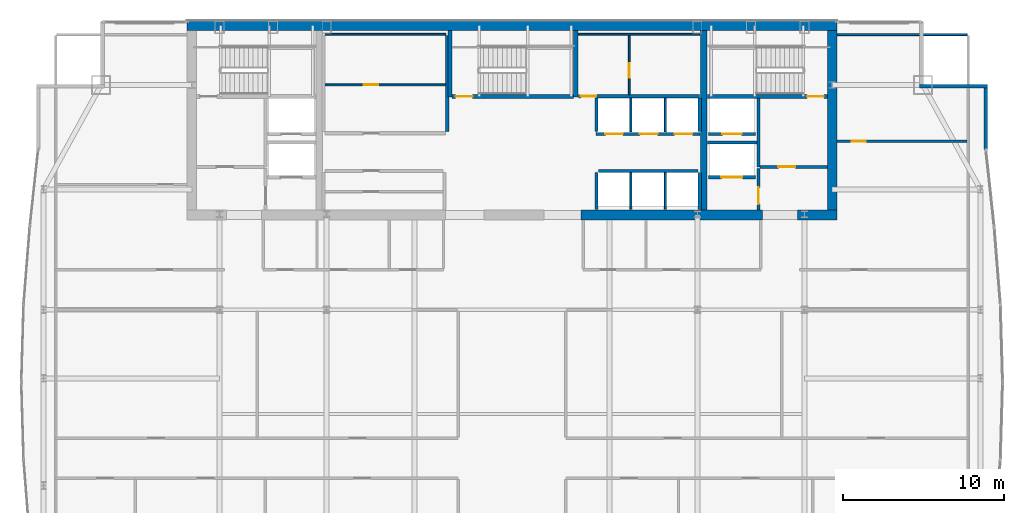
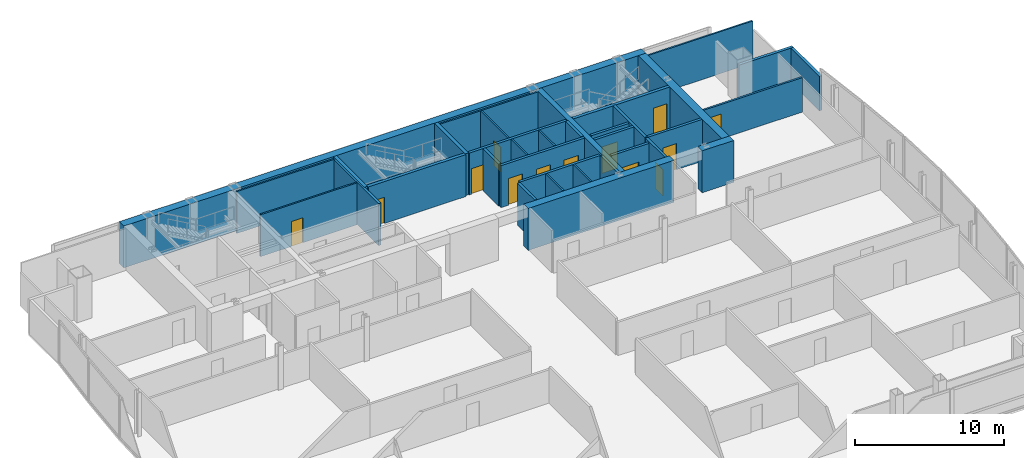
# One storey, part 29 of 32: 35 walls, 13 doors, 13 openings.
"""IFC4 building model written with IfcOpenShell, lengths in metres."""

from ifc_helpers import new_model, si_unit, direction, frame, frame_2d, origin, place, context, subcontext, project, spatial, rectangle, extrude, material, layer, layer_set, type_object, element, fill, save


model = new_model("IFC4")

# Units and contexts
model_context = context("Model", 3, precision=1e-05, world=origin(), true_north=direction((0.0, 1.0)))
body_context = subcontext(model_context, "Body", "Model", "MODEL_VIEW")
ifc_project = project(units=[si_unit("LENGTHUNIT", "METRE"), si_unit("AREAUNIT", "SQUARE_METRE"), si_unit("VOLUMEUNIT", "CUBIC_METRE"), si_unit("PLANEANGLEUNIT", "RADIAN"), si_unit("MASSUNIT", "GRAM", prefix="KILO")], contexts=[model_context])

# Site, building, storey
site_placement = place(None, origin())
site = spatial("IfcSite", under=ifc_project, at=site_placement, CompositionType="ELEMENT")
building_placement = place(site_placement, origin())
building = spatial("IfcBuilding", under=site, at=building_placement, Name="Khoronbel Lancet Exchange", CompositionType="ELEMENT")
storey_placement = place(building_placement, frame((0.0, 0.0, 192.199951171875)))
storey = spatial("IfcBuildingStorey", under=building, at=storey_placement, Name="L48", CompositionType="ELEMENT", Elevation=192.199951171875)

# Walls
ifc_material_1 = material(Name="Concrete C60/75", Category="concrete")
ifc_layer_1 = layer(ifc_material_1, 0.60009765625, Name="Concrete C60/75")
ifc_layer_set_1 = layer_set([ifc_layer_1], Name="Concrete C60/75")
wall_type_1 = type_object("IfcWallType", Name="WL-CW3", PredefinedType="SHEAR", material=ifc_layer_set_1)
wall_1_placement = place(storey_placement, frame((16.199951171875, 53.39990234375, 0.0), z_axis=(0.0, 0.0, 1.0), x_axis=(1.0, 0.0, 0.0)))
element("IfcWall", 1, at=wall_1_placement, inside=storey, type_object=wall_type_1, Name="Level L48 rear core north shear wall", PredefinedType="SHEAR", context=body_context, shape_type="SweptSolid", body=[
    extrude(rectangle(XDim=40.5, YDim=0.60009765625, at=frame_2d((20.25, 0.0))), origin(), (0.0, 0.0, 1.0), 3.43994140625),
])
wall_2_placement = place(storey_placement, frame((56.39990234375, 53.10009765625, 0.0), z_axis=(0.0, 0.0, 1.0), x_axis=(0.0, -1.0, 0.0)))
element("IfcWall", 2, at=wall_2_placement, inside=storey, type_object=wall_type_1, Name="Level L48 rear core east shear wall", PredefinedType="SHEAR", context=body_context, shape_type="SweptSolid", body=[
    extrude(rectangle(XDim=11.2001953125, YDim=0.60009765625, at=frame_2d((5.60009765625, 0.0))), origin(), (0.0, 0.0, 1.0), 3.43994140625),
])
wall_3_placement = place(storey_placement, frame((52.050048828125, 41.60009765625, 0.0), z_axis=(0.0, 0.0, 1.0), x_axis=(-1.0, 0.0, 0.0)))
element("IfcWall", 3, at=wall_3_placement, inside=storey, type_object=wall_type_1, Name="Level L48 rear core south shear wall pier P4", PredefinedType="SHEAR", context=body_context, shape_type="SweptSolid", body=[
    extrude(rectangle(XDim=11.300048828125, YDim=0.60009765625, at=frame_2d((5.64990234375, 0.0))), origin(), (0.0, 0.0, 1.0), 3.43994140625),
])
wall_4_placement = place(storey_placement, frame((56.699951171875, 41.60009765625, 0.0), z_axis=(0.0, 0.0, 1.0), x_axis=(-1.0, 0.0, 0.0)))
element("IfcWall", 4, at=wall_4_placement, inside=storey, type_object=wall_type_1, Name="Level L48 rear core south shear wall pier P5", PredefinedType="SHEAR", context=body_context, shape_type="SweptSolid", body=[
    extrude(rectangle(XDim=2.449951171875, YDim=0.60009765625, at=frame_2d((1.22509765625, 0.0))), origin(), (0.0, 0.0, 1.0), 3.43994140625),
])
ifc_material_2 = material(Name="Precast concrete C40/50", Category="concrete")
ifc_layer_2 = layer(ifc_material_2, 0.25, Name="Precast concrete C40/50")
ifc_layer_set_2 = layer_set([ifc_layer_2], Name="Precast concrete C40/50")
wall_type_2 = type_object("IfcWallType", Name="WL-EXT250", PredefinedType="SOLIDWALL", material=ifc_layer_set_2)
wall_5_placement = place(storey_placement, frame((61.85009765625, 49.610107421875, 0.0), z_axis=(0.0, 0.0, 1.0), x_axis=(1.0, 0.0, 0.0)))
element("IfcWall", 5, at=wall_5_placement, inside=storey, type_object=wall_type_2, Name="Level L48 notched-corner limestone pier 15", PredefinedType="SOLIDWALL", context=body_context, shape_type="SweptSolid", body=[
    extrude(rectangle(XDim=4.219970703125, YDim=0.219970703125, at=frame_2d((2.10986328125, 0.0))), origin(), (0.0, 0.0, 1.0), 2.830078125),
])
wall_6_placement = place(storey_placement, frame((65.9599609375, 49.5, 0.0), z_axis=(0.0, 0.0, 1.0), x_axis=(0.0, -1.0, 0.0)))
element("IfcWall", 6, at=wall_6_placement, inside=storey, type_object=wall_type_2, Name="Level L48 notched-corner limestone pier 16", PredefinedType="SOLIDWALL", context=body_context, shape_type="SweptSolid", body=[
    extrude(rectangle(XDim=3.824951171875, YDim=0.219970703125, at=frame_2d((1.91259765625, 0.0))), origin(), (0.0, 0.0, 1.0), 2.830078125),
])

# Wall, opening, door
ifc_material_3 = material(Name="Acoustic Metal-Stud & Mineral-Wool Gypsum Partition 120 mm", Category="gypsum")
ifc_layer_3 = layer(ifc_material_3, 0.1201171875, Name="Acoustic Metal-Stud & Mineral-Wool Gypsum Partition 120 mm")
ifc_layer_set_3 = layer_set([ifc_layer_3], Name="Acoustic Metal-Stud & Mineral-Wool Gypsum Partition 120 mm")
wall_type_3 = type_object("IfcWallType", Name="WL-PRT120", PredefinedType="PARTITIONING", material=ifc_layer_set_3)
wall_7_placement = place(storey_placement, frame((56.699951171875, 46.199951171875, 0.0), z_axis=(0.0, 0.0, 1.0), x_axis=(1.0, 0.0, 0.0)))
wall_7 = element("IfcWall", 7, at=wall_7_placement, inside=storey, type_object=wall_type_3, Name="Level L48 interior partition PW-NE-H", PredefinedType="PARTITIONING", context=body_context, shape_type="SweptSolid", body=[
    extrude(rectangle(XDim=8.10498046875, YDim=0.14990234375, at=frame_2d((4.052490234375, 0.0))), origin(), (0.0, 0.0, 1.0), 2.830078125),
])
opening_1_placement = place(wall_7_placement, frame((0.89990234375, 0.0, 0.0)))
opening_1 = element("IfcOpeningElement", 8, at=opening_1_placement, cuts=wall_7, Name="Opening D5", PredefinedType="OPENING", context=body_context, shape_type="SweptSolid", body=[
    extrude(rectangle(XDim=0.89990234375, YDim=2.050048828125, at=frame_2d((0.449951171875, 1.02490234375))), frame((0.0, 0.0849609375, 0.0), z_axis=(0.0, -1.0, 0.0), x_axis=(1.0, 0.0, 0.0)), (0.0, 0.0, 1.0), 0.169921875),
])
ifc_material_4 = material(Name="Acoustic Timber Pantry & Support Door", Category="wood")
door_type_1 = type_object("IfcDoorType", Name="DR-D5", OperationType="NOTDEFINED", PredefinedType="DOOR", material=ifc_material_4)
door_1_placement = place(opening_1_placement, origin())
door_1 = element("IfcDoor", 9, at=door_1_placement, inside=storey, type_object=door_type_1, Name="NE north room door L48-1", OperationType="SINGLE_SWING_LEFT", OverallHeight=2.050048828125, OverallWidth=0.89990234375, PredefinedType="DOOR", context=body_context, shape_type="SweptSolid", body=[
    extrude(rectangle(XDim=0.89990234375, YDim=2.050048828125, at=frame_2d((0.449951171875, 1.02490234375))), frame((0.0, 0.02490234375, 0.0), z_axis=(0.0, -1.0, 0.0), x_axis=(1.0, 0.0, 0.0)), (0.0, 0.0, 1.0), 0.050048828125),
])
fill(opening_1, door_1)

# Walls
wall_8_placement = place(storey_placement, frame((56.699951171875, 52.840087890625, 0.0), z_axis=(0.0, 0.0, 1.0), x_axis=(1.0, 0.0, 0.0)))
element("IfcWall", 10, at=wall_8_placement, inside=storey, type_object=wall_type_3, Name="Level L48 interior partition PW-LIN-NE", PredefinedType="PARTITIONING", context=body_context, shape_type="SweptSolid", body=[
    extrude(rectangle(XDim=8.10498046875, YDim=0.1201171875, at=frame_2d((4.052490234375, 0.0))), origin(), (0.0, 0.0, 1.0), 3.43994140625),
])
ifc_material_5 = material(Name="Fire-Rated Metal-Stud & Mineral-Wool Gypsum Partition 120 mm", Category="gypsum")
ifc_layer_4 = layer(ifc_material_5, 0.1201171875, Name="Fire-Rated Metal-Stud & Mineral-Wool Gypsum Partition 120 mm")
ifc_layer_set_4 = layer_set([ifc_layer_4], Name="Fire-Rated Metal-Stud & Mineral-Wool Gypsum Partition 120 mm")
wall_type_4 = type_object("IfcWallType", Name="WL-PRT120F", PredefinedType="PARTITIONING", material=ifc_layer_set_4)
wall_9_placement = place(storey_placement, frame((24.804931640625, 52.860107421875, 0.0), z_axis=(0.0, 0.0, 1.0), x_axis=(1.0, 0.0, 0.0)))
element("IfcWall", 11, at=wall_9_placement, inside=storey, type_object=wall_type_4, Name="Level L48 interior partition CW-PL-RN", PredefinedType="PARTITIONING", context=body_context, shape_type="SweptSolid", body=[
    extrude(rectangle(XDim=7.510009765625, YDim=0.1201171875, at=frame_2d((3.7548828125, 0.0))), origin(), (0.0, 0.0, 1.0), 3.43994140625),
])

# Wall, opening, door
wall_10_placement = place(storey_placement, frame((24.804931640625, 49.708740234375, 0.0), z_axis=(0.0, 0.0, 1.0), x_axis=(1.0, 0.0, 0.0)))
wall_10 = element("IfcWall", 12, at=wall_10_placement, inside=storey, type_object=wall_type_4, Name="Level L48 interior partition CW-PL-RH", PredefinedType="PARTITIONING", context=body_context, shape_type="SweptSolid", body=[
    extrude(rectangle(XDim=7.510009765625, YDim=0.1201171875, at=frame_2d((3.7548828125, 0.0))), origin(), (0.0, 0.0, 1.0), 3.43994140625),
])
opening_2_placement = place(wall_10_placement, frame((2.39990234375, 0.0, 0.0)))
opening_2 = element("IfcOpeningElement", 13, at=opening_2_placement, cuts=wall_10, Name="Opening FD4", PredefinedType="OPENING", context=body_context, shape_type="SweptSolid", body=[
    extrude(rectangle(XDim=0.89990234375, YDim=2.050048828125, at=frame_2d((0.449951171875, 1.02490234375))), frame((0.0, 0.070068359375, 0.0), z_axis=(0.0, -1.0, 0.0), x_axis=(1.0, 0.0, 0.0)), (0.0, 0.0, 1.0), 0.14013671875),
])
ifc_material_6 = material(Name="Fire-Rated Steel Core Support Door Assembly", Category="steel")
door_type_2 = type_object("IfcDoorType", Name="DR-FD4", OperationType="NOTDEFINED", PredefinedType="DOOR", material=ifc_material_6)
door_2_placement = place(opening_2_placement, origin())
door_2 = element("IfcDoor", 14, at=door_2_placement, inside=storey, type_object=door_type_2, Name="Core PL inner store door L48-1", OperationType="SINGLE_SWING_LEFT", OverallHeight=2.050048828125, OverallWidth=0.89990234375, PredefinedType="DOOR", context=body_context, shape_type="SweptSolid", body=[
    extrude(rectangle(XDim=0.89990234375, YDim=2.050048828125, at=frame_2d((0.449951171875, 1.02490234375))), frame((0.0, 0.02490234375, 0.0), z_axis=(0.0, -1.0, 0.0), x_axis=(1.0, 0.0, 0.0)), (0.0, 0.0, 1.0), 0.050048828125),
])
fill(opening_2, door_2)

# Walls
for number, where, z_axis, x_axis, name in (
    (15, (43.860107421875, 46.800048828125, 0.0), (0.0, 0.0, 1.0), (0.0, 1.0, 0.0), "Level L48 interior partition CW-PH-D1"),
    (16, (46.0, 46.800048828125, 0.0), (0.0, 0.0, 1.0), (0.0, 1.0, 0.0), "Level L48 interior partition CW-PH-D2"),
):
    element("IfcWall", number, at=place(storey_placement, frame(where, z_axis=z_axis, x_axis=x_axis)), inside=storey, type_object=wall_type_4, Name=name, PredefinedType="PARTITIONING", context=body_context, shape_type="SweptSolid", body=[
        extrude(rectangle(XDim=2.094970703125, YDim=0.1201171875, at=frame_2d((1.04736328125, 0.0))), origin(), (0.0, 0.0, 1.0), 3.43994140625),
    ])
for number, where, z_axis, x_axis, name in (
    (17, (43.860107421875, 41.949951171875, 0.0), (0.0, 0.0, 1.0), (0.0, 1.0, 0.0), "Level L48 interior partition CW-PX-D1"),
    (18, (46.0, 41.949951171875, 0.0), (0.0, 0.0, 1.0), (0.0, 1.0, 0.0), "Level L48 interior partition CW-PX-D2"),
):
    element("IfcWall", number, at=place(storey_placement, frame(where, z_axis=z_axis, x_axis=x_axis)), inside=storey, type_object=wall_type_4, Name=name, PredefinedType="PARTITIONING", context=body_context, shape_type="SweptSolid", body=[
        extrude(rectangle(XDim=2.295166015625, YDim=0.1201171875, at=frame_2d((1.1474609375, 0.0))), origin(), (0.0, 0.0, 1.0), 3.43994140625),
    ])
wall_11_placement = place(storey_placement, frame((40.580078125, 52.860107421875, 0.0), z_axis=(0.0, 0.0, 1.0), x_axis=(1.0, 0.0, 0.0)))
element("IfcWall", 19, at=wall_11_placement, inside=storey, type_object=wall_type_4, Name="Level L48 interior partition CW-SUP-NE-N", PredefinedType="PARTITIONING", context=body_context, shape_type="SweptSolid", body=[
    extrude(rectangle(XDim=7.559814453125, YDim=0.1201171875, at=frame_2d((3.77978515625, 0.0))), origin(), (0.0, 0.0, 1.0), 3.43994140625),
])

# Wall, opening, door
wall_12_placement = place(storey_placement, frame((43.755126953125, 49.10498046875, 0.0), z_axis=(0.0, 0.0, 1.0), x_axis=(0.0, 1.0, 0.0)))
wall_12 = element("IfcWall", 20, at=wall_12_placement, inside=storey, type_object=wall_type_4, Name="Level L48 interior partition CW-SUP-NE-M", PredefinedType="PARTITIONING", context=body_context, shape_type="SweptSolid", body=[
    extrude(rectangle(XDim=3.68994140625, YDim=0.1201171875, at=frame_2d((1.844970703125, 0.0))), origin(), (0.0, 0.0, 1.0), 3.43994140625),
])
opening_3_placement = place(wall_12_placement, frame((1.050048828125, 0.0, 0.0)))
opening_3 = element("IfcOpeningElement", 21, at=opening_3_placement, cuts=wall_12, Name="Opening FD4", PredefinedType="OPENING", context=body_context, shape_type="SweptSolid", body=[
    extrude(rectangle(XDim=0.89990234375, YDim=2.050048828125, at=frame_2d((0.449951171875, 1.02490234375))), frame((0.0, 0.070068359375, 0.0), z_axis=(0.0, -1.0, 0.0), x_axis=(1.0, 0.0, 0.0)), (0.0, 0.0, 1.0), 0.14013671875),
])
door_3_placement = place(opening_3_placement, origin())
door_3 = element("IfcDoor", 22, at=door_3_placement, inside=storey, type_object=door_type_2, Name="Core NE inner support door L48-1", OperationType="SINGLE_SWING_RIGHT", OverallHeight=2.050048828125, OverallWidth=0.89990234375, PredefinedType="DOOR", context=body_context, shape_type="SweptSolid", body=[
    extrude(rectangle(XDim=0.89990234375, YDim=2.050048828125, at=frame_2d((0.449951171875, 1.02490234375))), frame((0.0, 0.02490234375, 0.0), z_axis=(0.0, -1.0, 0.0), x_axis=(1.0, 0.0, 0.0)), (0.0, 0.0, 1.0), 0.050048828125),
])
fill(opening_3, door_3)

ifc_material_7 = material(Name="Autoclaved Aerated Concrete Blockwork 200 mm", Category="masonry")
ifc_layer_5 = layer(ifc_material_7, 0.199951171875, Name="Autoclaved Aerated Concrete Blockwork 200 mm")
ifc_layer_set_5 = layer_set([ifc_layer_5], Name="Autoclaved Aerated Concrete Blockwork 200 mm")
wall_type_5 = type_object("IfcWallType", Name="WL-PRT200", PredefinedType="PARTITIONING", material=ifc_layer_set_5)
wall_13_placement = place(storey_placement, frame((51.610107421875, 43.949951171875, 0.0), z_axis=(0.0, 0.0, 1.0), x_axis=(-1.0, 0.0, 0.0)))
wall_13 = element("IfcWall", 23, at=wall_13_placement, inside=storey, type_object=wall_type_5, Name="Level L48 elevator hoistway landing front wall SVLE", PredefinedType="PARTITIONING", context=body_context, shape_type="SweptSolid", body=[
    extrude(rectangle(XDim=2.920166015625, YDim=0.199951171875, at=frame_2d((1.4599609375, 0.0))), origin(), (0.0, 0.0, 1.0), 3.43994140625),
])
opening_4_placement = place(wall_13_placement, frame((0.81005859375, 0.0, 0.0)))
opening_4 = element("IfcOpeningElement", 24, at=opening_4_placement, cuts=wall_13, Name="Opening LD-SVL2", PredefinedType="OPENING", context=body_context, shape_type="SweptSolid", body=[
    extrude(rectangle(XDim=1.300048828125, YDim=2.179931640625, at=frame_2d((0.64990234375, 1.08984375))), frame((0.0, 0.10986328125, 0.0), z_axis=(0.0, -1.0, 0.0), x_axis=(1.0, 0.0, 0.0)), (0.0, 0.0, 1.0), 0.219970703125),
])
ifc_material_8 = material(Name="Heavy-Duty Bi-Parting Goods Lift Landing Door", Category="steel")
door_type_3 = type_object("IfcDoorType", Name="DR-LD-SVL", OperationType="NOTDEFINED", PredefinedType="DOOR", material=ifc_material_8)
door_4_placement = place(opening_4_placement, origin())
door_4 = element("IfcDoor", 25, at=door_4_placement, inside=storey, type_object=door_type_3, Name="Elevator landing sliding door LD-SVL2 L48", OperationType="SLIDING_TO_LEFT", OverallHeight=2.179931640625, OverallWidth=1.300048828125, PredefinedType="DOOR", context=body_context, shape_type="SweptSolid", body=[
    extrude(rectangle(XDim=1.300048828125, YDim=2.179931640625, at=frame_2d((0.64990234375, 1.08984375))), frame((0.0, 0.02490234375, 0.0), z_axis=(0.0, -1.0, 0.0), x_axis=(1.0, 0.0, 0.0)), (0.0, 0.0, 1.0), 0.050048828125),
])
fill(opening_4, door_4)

wall_14_placement = place(storey_placement, frame((51.610107421875, 46.64990234375, 0.0), z_axis=(0.0, 0.0, 1.0), x_axis=(-1.0, 0.0, 0.0)))
wall_14 = element("IfcWall", 26, at=wall_14_placement, inside=storey, type_object=wall_type_5, Name="Level L48 elevator hoistway landing front wall FFLE", PredefinedType="PARTITIONING", context=body_context, shape_type="SweptSolid", body=[
    extrude(rectangle(XDim=2.920166015625, YDim=0.199951171875, at=frame_2d((1.4599609375, 0.0))), origin(), (0.0, 0.0, 1.0), 3.43994140625),
])
opening_5_placement = place(wall_14_placement, frame((0.860107421875, 0.0, 0.0)))
opening_5 = element("IfcOpeningElement", 27, at=opening_5_placement, cuts=wall_14, Name="Opening LD-FFL2", PredefinedType="OPENING", context=body_context, shape_type="SweptSolid", body=[
    extrude(rectangle(XDim=1.199951171875, YDim=2.179931640625, at=frame_2d((0.60009765625, 1.08984375))), frame((0.0, 0.10986328125, 0.0), z_axis=(0.0, -1.0, 0.0), x_axis=(1.0, 0.0, 0.0)), (0.0, 0.0, 1.0), 0.219970703125),
])
ifc_material_9 = material(Name="Fire-Rated Stainless Bi-Parting Firefighting Lift Door", Category="steel")
door_type_4 = type_object("IfcDoorType", Name="DR-LD-FFL", OperationType="NOTDEFINED", PredefinedType="DOOR", material=ifc_material_9)
door_5_placement = place(opening_5_placement, origin())
door_5 = element("IfcDoor", 28, at=door_5_placement, inside=storey, type_object=door_type_4, Name="Elevator landing sliding door LD-FFL2 L48", OperationType="SLIDING_TO_LEFT", OverallHeight=2.179931640625, OverallWidth=1.199951171875, PredefinedType="DOOR", context=body_context, shape_type="SweptSolid", body=[
    extrude(rectangle(XDim=1.199951171875, YDim=2.179931640625, at=frame_2d((0.60009765625, 1.08984375))), frame((0.0, 0.02490234375, 0.0), z_axis=(0.0, -1.0, 0.0), x_axis=(1.0, 0.0, 0.0)), (0.0, 0.0, 1.0), 0.050048828125),
])
fill(opening_5, door_5)

# Wall, openings, doors
wall_15_placement = place(storey_placement, frame((48.159912109375, 46.64990234375, 0.0), z_axis=(0.0, 0.0, 1.0), x_axis=(-1.0, 0.0, 0.0)))
wall_15 = element("IfcWall", 29, at=wall_15_placement, inside=storey, type_object=wall_type_5, Name="Level L48 elevator hoistway landing front wall PHE", PredefinedType="PARTITIONING", context=body_context, shape_type="SweptSolid", body=[
    extrude(rectangle(XDim=6.47998046875, YDim=0.199951171875, at=frame_2d((3.239990234375, 0.0))), origin(), (0.0, 0.0, 1.0), 3.43994140625),
])
opening_6_placement = place(wall_15_placement, frame((4.800048828125, 0.0, 0.0)))
opening_6 = element("IfcOpeningElement", 30, at=opening_6_placement, cuts=wall_15, Name="Opening LD-PH1", PredefinedType="OPENING", context=body_context, shape_type="SweptSolid", body=[
    extrude(rectangle(XDim=1.10009765625, YDim=2.179931640625, at=frame_2d((0.550048828125, 1.08984375))), frame((0.0, 0.10986328125, 0.0), z_axis=(0.0, -1.0, 0.0), x_axis=(1.0, 0.0, 0.0)), (0.0, 0.0, 1.0), 0.219970703125),
])
opening_7_placement = place(wall_15_placement, frame((2.639892578125, 0.0, 0.0)))
opening_7 = element("IfcOpeningElement", 31, at=opening_7_placement, cuts=wall_15, Name="Opening LD-PH2", PredefinedType="OPENING", context=body_context, shape_type="SweptSolid", body=[
    extrude(rectangle(XDim=1.10009765625, YDim=2.179931640625, at=frame_2d((0.550048828125, 1.08984375))), frame((0.0, 0.10986328125, 0.0), z_axis=(0.0, -1.0, 0.0), x_axis=(1.0, 0.0, 0.0)), (0.0, 0.0, 1.0), 0.219970703125),
])
opening_8_placement = place(wall_15_placement, frame((0.47998046875, 0.0, 0.0)))
opening_8 = element("IfcOpeningElement", 32, at=opening_8_placement, cuts=wall_15, Name="Opening LD-PH3", PredefinedType="OPENING", context=body_context, shape_type="SweptSolid", body=[
    extrude(rectangle(XDim=1.10009765625, YDim=2.179931640625, at=frame_2d((0.550048828125, 1.08984375))), frame((0.0, 0.10986328125, 0.0), z_axis=(0.0, -1.0, 0.0), x_axis=(1.0, 0.0, 0.0)), (0.0, 0.0, 1.0), 0.219970703125),
])
ifc_material_10 = material(Name="Brushed Bronze Bi-Parting Elevator Landing Door", Category="steel")
door_type_5 = type_object("IfcDoorType", Name="DR-LD-PAX", OperationType="NOTDEFINED", PredefinedType="DOOR", material=ifc_material_10)
door_6_placement = place(opening_6_placement, origin())
door_6 = element("IfcDoor", 33, at=door_6_placement, inside=storey, type_object=door_type_5, Name="Elevator landing sliding door LD-PH1 L48", OperationType="SLIDING_TO_LEFT", OverallHeight=2.179931640625, OverallWidth=1.10009765625, PredefinedType="DOOR", context=body_context, shape_type="SweptSolid", body=[
    extrude(rectangle(XDim=1.10009765625, YDim=2.179931640625, at=frame_2d((0.550048828125, 1.08984375))), frame((0.0, 0.02490234375, 0.0), z_axis=(0.0, -1.0, 0.0), x_axis=(1.0, 0.0, 0.0)), (0.0, 0.0, 1.0), 0.050048828125),
])
fill(opening_6, door_6)
door_7_placement = place(opening_7_placement, origin())
door_7 = element("IfcDoor", 34, at=door_7_placement, inside=storey, type_object=door_type_5, Name="Elevator landing sliding door LD-PH2 L48", OperationType="SLIDING_TO_LEFT", OverallHeight=2.179931640625, OverallWidth=1.10009765625, PredefinedType="DOOR", context=body_context, shape_type="SweptSolid", body=[
    extrude(rectangle(XDim=1.10009765625, YDim=2.179931640625, at=frame_2d((0.550048828125, 1.08984375))), frame((0.0, 0.02490234375, 0.0), z_axis=(0.0, -1.0, 0.0), x_axis=(1.0, 0.0, 0.0)), (0.0, 0.0, 1.0), 0.050048828125),
])
fill(opening_7, door_7)
door_8_placement = place(opening_8_placement, origin())
door_8 = element("IfcDoor", 35, at=door_8_placement, inside=storey, type_object=door_type_5, Name="Elevator landing sliding door LD-PH3 L48", OperationType="SLIDING_TO_LEFT", OverallHeight=2.179931640625, OverallWidth=1.10009765625, PredefinedType="DOOR", context=body_context, shape_type="SweptSolid", body=[
    extrude(rectangle(XDim=1.10009765625, YDim=2.179931640625, at=frame_2d((0.550048828125, 1.08984375))), frame((0.0, 0.02490234375, 0.0), z_axis=(0.0, -1.0, 0.0), x_axis=(1.0, 0.0, 0.0)), (0.0, 0.0, 1.0), 0.050048828125),
])
fill(opening_8, door_8)

# Wall
wall_16_placement = place(storey_placement, frame((51.800048828125, 44.60009765625, 0.0), z_axis=(0.0, 0.0, 1.0), x_axis=(0.0, 1.0, 0.0)))
element("IfcWall", 36, at=wall_16_placement, inside=storey, type_object=wall_type_5, Name="Level L48 interior partition CW-FFLE-W", PredefinedType="PARTITIONING", context=body_context, shape_type="SweptSolid", body=[
    extrude(rectangle(XDim=4.2998046875, YDim=0.199951171875, at=frame_2d((2.14990234375, 0.0))), origin(), (0.0, 0.0, 1.0), 3.43994140625),
])

# Wall, opening, door
wall_17_placement = place(storey_placement, frame((51.89990234375, 44.60009765625, 0.0), z_axis=(0.0, 0.0, 1.0), x_axis=(1.0, 0.0, 0.0)))
wall_17 = element("IfcWall", 37, at=wall_17_placement, inside=storey, type_object=wall_type_5, Name="Level L48 interior partition CW-FFLE-S", PredefinedType="PARTITIONING", context=body_context, shape_type="SweptSolid", body=[
    extrude(rectangle(XDim=4.2001953125, YDim=0.199951171875, at=frame_2d((2.10009765625, 0.0))), origin(), (0.0, 0.0, 1.0), 3.43994140625),
])
opening_9_placement = place(wall_17_placement, frame((1.14990234375, 0.0, 0.0)))
opening_9 = element("IfcOpeningElement", 38, at=opening_9_placement, cuts=wall_17, Name="Opening FD1", PredefinedType="OPENING", context=body_context, shape_type="SweptSolid", body=[
    extrude(rectangle(XDim=1.050048828125, YDim=2.14990234375, at=frame_2d((0.52490234375, 1.074951171875))), frame((0.0, 0.10986328125, 0.0), z_axis=(0.0, -1.0, 0.0), x_axis=(1.0, 0.0, 0.0)), (0.0, 0.0, 1.0), 0.219970703125),
])
ifc_material_11 = material(Name="Fire-Rated Painted Steel Door Assembly", Category="steel")
door_type_6 = type_object("IfcDoorType", Name="DR-FD1", OperationType="NOTDEFINED", PredefinedType="DOOR", material=ifc_material_11)
door_9_placement = place(opening_9_placement, origin())
door_9 = element("IfcDoor", 39, at=door_9_placement, inside=storey, type_object=door_type_6, Name="East firefighting lobby FD90S door L48-1", OperationType="SINGLE_SWING_LEFT", OverallHeight=2.14990234375, OverallWidth=1.050048828125, PredefinedType="DOOR", context=body_context, shape_type="SweptSolid", body=[
    extrude(rectangle(XDim=1.050048828125, YDim=2.14990234375, at=frame_2d((0.52490234375, 1.074951171875))), frame((0.0, 0.02490234375, 0.0), z_axis=(0.0, -1.0, 0.0), x_axis=(1.0, 0.0, 0.0)), (0.0, 0.0, 1.0), 0.050048828125),
])
fill(opening_9, door_9)

# Wall
wall_18_placement = place(storey_placement, frame((48.6298828125, 46.1201171875, 0.0), z_axis=(0.0, 0.0, 1.0), x_axis=(1.0, 0.0, 0.0)))
element("IfcWall", 40, at=wall_18_placement, inside=storey, type_object=wall_type_5, Name="Level L48 interior partition CW-FFL2-S", PredefinedType="PARTITIONING", context=body_context, shape_type="SweptSolid", body=[
    extrude(rectangle(XDim=3.070068359375, YDim=0.199951171875, at=frame_2d((1.53515625, 0.0))), origin(), (0.0, 0.0, 1.0), 3.43994140625),
])

# Wall, opening, door
wall_19_placement = place(storey_placement, frame((51.800048828125, 41.89990234375, 0.0), z_axis=(0.0, 0.0, 1.0), x_axis=(0.0, 1.0, 0.0)))
wall_19 = element("IfcWall", 41, at=wall_19_placement, inside=storey, type_object=wall_type_5, Name="Level L48 interior partition CW-SVLE-E", PredefinedType="PARTITIONING", context=body_context, shape_type="SweptSolid", body=[
    extrude(rectangle(XDim=2.59521484375, YDim=0.199951171875, at=frame_2d((1.297607421875, 0.0))), origin(), (0.0, 0.0, 1.0), 3.43994140625),
])
opening_10_placement = place(wall_19_placement, frame((0.3798828125, 0.0, 0.0)))
opening_10 = element("IfcOpeningElement", 42, at=opening_10_placement, cuts=wall_19, Name="Opening FD1", PredefinedType="OPENING", context=body_context, shape_type="SweptSolid", body=[
    extrude(rectangle(XDim=1.050048828125, YDim=2.14990234375, at=frame_2d((0.52490234375, 1.074951171875))), frame((0.0, 0.10986328125, 0.0), z_axis=(0.0, -1.0, 0.0), x_axis=(1.0, 0.0, 0.0)), (0.0, 0.0, 1.0), 0.219970703125),
])
door_10_placement = place(opening_10_placement, origin())
door_10 = element("IfcDoor", 43, at=door_10_placement, inside=storey, type_object=door_type_6, Name="East service lift lobby door L48-1", OperationType="SINGLE_SWING_RIGHT", OverallHeight=2.14990234375, OverallWidth=1.050048828125, PredefinedType="DOOR", context=body_context, shape_type="SweptSolid", body=[
    extrude(rectangle(XDim=1.050048828125, YDim=2.14990234375, at=frame_2d((0.52490234375, 1.074951171875))), frame((0.0, 0.02490234375, 0.0), z_axis=(0.0, -1.0, 0.0), x_axis=(1.0, 0.0, 0.0)), (0.0, 0.0, 1.0), 0.050048828125),
])
fill(opening_10, door_10)

# Walls
wall_20_placement = place(storey_placement, frame((32.419921875, 46.804931640625, 0.0), z_axis=(0.0, 0.0, 1.0), x_axis=(0.0, 1.0, 0.0)))
element("IfcWall", 44, at=wall_20_placement, inside=storey, type_object=wall_type_5, Name="Level L48 interior partition CW-PL-RE", PredefinedType="PARTITIONING", context=body_context, shape_type="SweptSolid", body=[
    extrude(rectangle(XDim=5.989990234375, YDim=0.199951171875, at=frame_2d((2.9951171875, 0.0))), origin(), (0.0, 0.0, 1.0), 3.43994140625),
])
for number, where, z_axis, x_axis, name in (
    (45, (41.719970703125, 46.800048828125, 0.0), (0.0, 0.0, 1.0), (0.0, 1.0, 0.0), "Level L48 interior partition CW-PH-W"),
    (46, (48.139892578125, 46.800048828125, 0.0), (0.0, 0.0, 1.0), (0.0, 1.0, 0.0), "Level L48 interior partition CW-PH-E"),
):
    element("IfcWall", number, at=place(storey_placement, frame(where, z_axis=z_axis, x_axis=x_axis)), inside=storey, type_object=wall_type_5, Name=name, PredefinedType="PARTITIONING", context=body_context, shape_type="SweptSolid", body=[
        extrude(rectangle(XDim=2.094970703125, YDim=0.199951171875, at=frame_2d((1.04736328125, 0.0))), origin(), (0.0, 0.0, 1.0), 3.43994140625),
    ])
wall_21_placement = place(storey_placement, frame((41.824951171875, 44.35009765625, 0.0), z_axis=(0.0, 0.0, 1.0), x_axis=(1.0, 0.0, 0.0)))
element("IfcWall", 47, at=wall_21_placement, inside=storey, type_object=wall_type_5, Name="Level L48 interior partition CW-PX-EXP", PredefinedType="PARTITIONING", context=body_context, shape_type="SweptSolid", body=[
    extrude(rectangle(XDim=6.2099609375, YDim=0.199951171875, at=frame_2d((3.10498046875, 0.0))), origin(), (0.0, 0.0, 1.0), 3.43994140625),
])
for number, where, z_axis, x_axis, name in (
    (48, (41.719970703125, 41.949951171875, 0.0), (0.0, 0.0, 1.0), (0.0, 1.0, 0.0), "Level L48 interior partition CW-PX-W"),
    (49, (48.139892578125, 41.949951171875, 0.0), (0.0, 0.0, 1.0), (0.0, 1.0, 0.0), "Level L48 interior partition CW-PX-E"),
):
    element("IfcWall", number, at=place(storey_placement, frame(where, z_axis=z_axis, x_axis=x_axis)), inside=storey, type_object=wall_type_5, Name=name, PredefinedType="PARTITIONING", context=body_context, shape_type="SweptSolid", body=[
        extrude(rectangle(XDim=2.295166015625, YDim=0.199951171875, at=frame_2d((1.1474609375, 0.0))), origin(), (0.0, 0.0, 1.0), 3.43994140625),
    ])

# Wall, opening, door
wall_22_placement = place(storey_placement, frame((40.580078125, 49.0, 0.0), z_axis=(0.0, 0.0, 1.0), x_axis=(1.0, 0.0, 0.0)))
wall_22 = element("IfcWall", 50, at=wall_22_placement, inside=storey, type_object=wall_type_5, Name="Level L48 interior partition CW-SUP-NE-S", PredefinedType="PARTITIONING", context=body_context, shape_type="SweptSolid", body=[
    extrude(rectangle(XDim=7.559814453125, YDim=0.199951171875, at=frame_2d((3.77978515625, 0.0))), origin(), (0.0, 0.0, 1.0), 3.43994140625),
])
opening_11_placement = place(wall_22_placement, frame((0.159912109375, 0.0, 0.0)))
opening_11 = element("IfcOpeningElement", 51, at=opening_11_placement, cuts=wall_22, Name="Opening FD3", PredefinedType="OPENING", context=body_context, shape_type="SweptSolid", body=[
    extrude(rectangle(XDim=0.949951171875, YDim=2.10009765625, at=frame_2d((0.47509765625, 1.050048828125))), frame((0.0, 0.10986328125, 0.0), z_axis=(0.0, -1.0, 0.0), x_axis=(1.0, 0.0, 0.0)), (0.0, 0.0, 1.0), 0.219970703125),
])
ifc_material_12 = material(Name="Fire-Rated Steel Plant & Riser Door Assembly", Category="steel")
door_type_7 = type_object("IfcDoorType", Name="DR-FD3", OperationType="NOTDEFINED", PredefinedType="DOOR", material=ifc_material_12)
door_11_placement = place(opening_11_placement, origin())
door_11 = element("IfcDoor", 52, at=door_11_placement, inside=storey, type_object=door_type_7, Name="Core NE support room door L48-1", OperationType="SINGLE_SWING_LEFT", OverallHeight=2.10009765625, OverallWidth=0.949951171875, PredefinedType="DOOR", context=body_context, shape_type="SweptSolid", body=[
    extrude(rectangle(XDim=0.949951171875, YDim=2.10009765625, at=frame_2d((0.47509765625, 1.050048828125))), frame((0.0, 0.02490234375, 0.0), z_axis=(0.0, -1.0, 0.0), x_axis=(1.0, 0.0, 0.0)), (0.0, 0.0, 1.0), 0.050048828125),
])
fill(opening_11, door_11)

# Walls
ifc_layer_6 = layer(ifc_material_1, 0.39990234375, Name="Concrete C60/75")
ifc_layer_set_6 = layer_set([ifc_layer_6], Name="Concrete C60/75")
wall_type_6 = type_object("IfcWallType", Name="WL-SW2", PredefinedType="SHEAR", material=ifc_layer_set_6)
wall_23_placement = place(storey_placement, frame((48.39990234375, 41.89990234375, 0.0), z_axis=(0.0, 0.0, 1.0), x_axis=(0.0, 1.0, 0.0)))
element("IfcWall", 53, at=wall_23_placement, inside=storey, type_object=wall_type_6, Name="Level L48 rear core internal spine shear wall IE", PredefinedType="SHEAR", context=body_context, shape_type="SweptSolid", body=[
    extrude(rectangle(XDim=11.2001953125, YDim=0.39990234375, at=frame_2d((5.60009765625, 0.0))), origin(), (0.0, 0.0, 1.0), 3.43994140625),
])
ifc_layer_7 = layer(ifc_material_1, 0.260009765625, Name="Concrete C60/75")
ifc_layer_set_7 = layer_set([ifc_layer_7], Name="Concrete C60/75")
wall_type_7 = type_object("IfcWallType", Name="WL-SW3", PredefinedType="SHEAR", material=ifc_layer_set_7)
for number, where, z_axis, x_axis, name in (
    (54, (32.580078125, 48.949951171875, 0.0), (0.0, 0.0, 1.0), (0.0, 1.0, 0.0), "Level L48 central stairwell structural shear wall ST3W"),
    (55, (40.419921875, 48.949951171875, 0.0), (0.0, 0.0, 1.0), (0.0, 1.0, 0.0), "Level L48 central stairwell structural shear wall ST3E"),
):
    element("IfcWall", number, at=place(storey_placement, frame(where, z_axis=z_axis, x_axis=x_axis)), inside=storey, type_object=wall_type_7, Name=name, PredefinedType="SHEAR", context=body_context, shape_type="SweptSolid", body=[
        extrude(rectangle(XDim=4.150146484375, YDim=0.260009765625, at=frame_2d((2.0751953125, 0.0))), origin(), (0.0, 0.0, 1.0), 3.43994140625),
    ])

# Wall, opening, door
wall_24_placement = place(storey_placement, frame((48.6298828125, 48.97998046875, 0.0), z_axis=(0.0, 0.0, 1.0), x_axis=(1.0, 0.0, 0.0)))
wall_24 = element("IfcWall", 56, at=wall_24_placement, inside=storey, type_object=wall_type_7, Name="Level L48 east stairwell structural south wall", PredefinedType="SHEAR", context=body_context, shape_type="SweptSolid", body=[
    extrude(rectangle(XDim=7.47021484375, YDim=0.239990234375, at=frame_2d((3.735107421875, 0.0))), origin(), (0.0, 0.0, 1.0), 3.43994140625),
])
opening_12_placement = place(wall_24_placement, frame((6.199951171875, 0.0, 0.0)))
opening_12 = element("IfcOpeningElement", 57, at=opening_12_placement, cuts=wall_24, Name="Opening SD1", PredefinedType="OPENING", context=body_context, shape_type="SweptSolid", body=[
    extrude(rectangle(XDim=1.050048828125, YDim=2.14990234375, at=frame_2d((0.52490234375, 1.074951171875))), frame((0.0, 0.1298828125, 0.0), z_axis=(0.0, -1.0, 0.0), x_axis=(1.0, 0.0, 0.0)), (0.0, 0.0, 1.0), 0.260009765625),
])
ifc_material_13 = material(Name="Fire-Rated Steel Stairwell Door Assembly", Category="steel")
door_type_8 = type_object("IfcDoorType", Name="DR-SD1", OperationType="NOTDEFINED", PredefinedType="DOOR", material=ifc_material_13)
door_12_placement = place(opening_12_placement, origin())
door_12 = element("IfcDoor", 58, at=door_12_placement, inside=storey, type_object=door_type_8, Name="Protected exit stair ST2 door L48", OperationType="SINGLE_SWING_RIGHT", OverallHeight=2.14990234375, OverallWidth=1.050048828125, PredefinedType="DOOR", context=body_context, shape_type="SweptSolid", body=[
    extrude(rectangle(XDim=1.050048828125, YDim=2.14990234375, at=frame_2d((0.52490234375, 1.074951171875))), frame((0.0, 0.02490234375, 0.0), z_axis=(0.0, -1.0, 0.0), x_axis=(1.0, 0.0, 0.0)), (0.0, 0.0, 1.0), 0.050048828125),
])
fill(opening_12, door_12)

wall_25_placement = place(storey_placement, frame((32.719970703125, 48.97998046875, 0.0), z_axis=(0.0, 0.0, 1.0), x_axis=(1.0, 0.0, 0.0)))
wall_25 = element("IfcWall", 59, at=wall_25_placement, inside=storey, type_object=wall_type_7, Name="Level L48 central stairwell structural south wall", PredefinedType="SHEAR", context=body_context, shape_type="SweptSolid", body=[
    extrude(rectangle(XDim=7.56005859375, YDim=0.239990234375, at=frame_2d((3.780029296875, 0.0))), origin(), (0.0, 0.0, 1.0), 3.43994140625),
])
opening_13_placement = place(wall_25_placement, frame((0.219970703125, 0.0, 0.0)))
opening_13 = element("IfcOpeningElement", 60, at=opening_13_placement, cuts=wall_25, Name="Opening SD1", PredefinedType="OPENING", context=body_context, shape_type="SweptSolid", body=[
    extrude(rectangle(XDim=1.050048828125, YDim=2.14990234375, at=frame_2d((0.52490234375, 1.074951171875))), frame((0.0, 0.1298828125, 0.0), z_axis=(0.0, -1.0, 0.0), x_axis=(1.0, 0.0, 0.0)), (0.0, 0.0, 1.0), 0.260009765625),
])
door_13_placement = place(opening_13_placement, origin())
door_13 = element("IfcDoor", 61, at=door_13_placement, inside=storey, type_object=door_type_8, Name="Protected exit stair ST3 door L48", OperationType="SINGLE_SWING_LEFT", OverallHeight=2.14990234375, OverallWidth=1.050048828125, PredefinedType="DOOR", context=body_context, shape_type="SweptSolid", body=[
    extrude(rectangle(XDim=1.050048828125, YDim=2.14990234375, at=frame_2d((0.52490234375, 1.074951171875))), frame((0.0, 0.02490234375, 0.0), z_axis=(0.0, -1.0, 0.0), x_axis=(1.0, 0.0, 0.0)), (0.0, 0.0, 1.0), 0.050048828125),
])
fill(opening_13, door_13)

save(model, "model.ifc")
